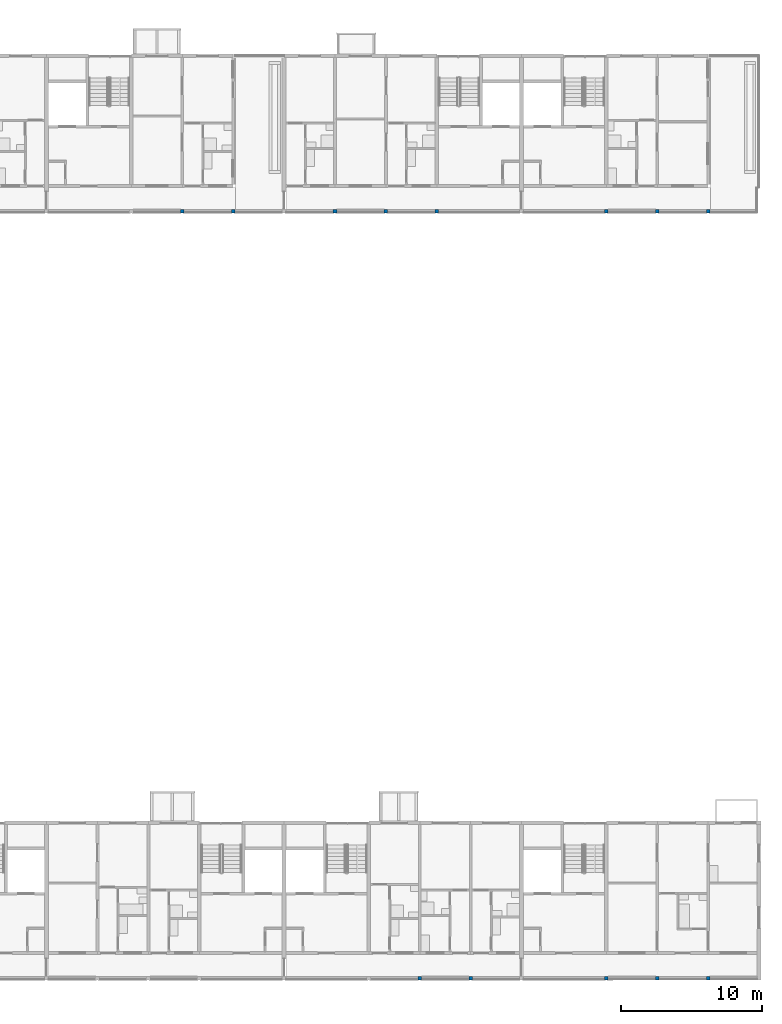
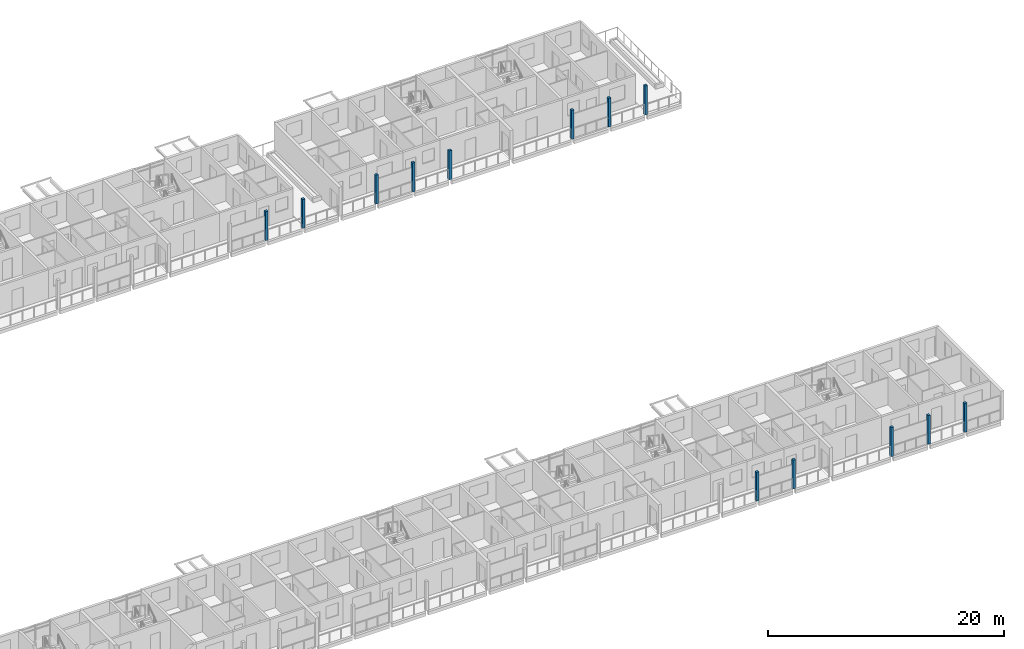
# One storey, part 4 of 94: 13 columns.
"""IFC4 building model written with IfcOpenShell, lengths in metres."""

from ifc_helpers import new_model, si_unit, direction, frame, origin, origin_2d, place, context, subcontext, project, spatial, rectangle, extrude, material, material_profile, profile_set, type_object, element, save


model = new_model("IFC4")

# Units and contexts
model_context = context("Model", 3, precision=1e-05, world=origin(), true_north=direction((0.0, 1.0)))
body_context = subcontext(model_context, "Body", "Model", "MODEL_VIEW")
ifc_project = project(units=[si_unit("LENGTHUNIT", "METRE"), si_unit("AREAUNIT", "SQUARE_METRE"), si_unit("VOLUMEUNIT", "CUBIC_METRE"), si_unit("PLANEANGLEUNIT", "RADIAN"), si_unit("MASSUNIT", "GRAM", prefix="KILO")], contexts=[model_context])

# Site, building, storey
site_placement = place(None, origin())
site = spatial("IfcSite", under=ifc_project, at=site_placement, CompositionType="ELEMENT")
building_placement = place(site_placement, origin())
building = spatial("IfcBuilding", under=site, at=building_placement, Name="Ridgestep Commons", CompositionType="ELEMENT")
storey_placement = place(building_placement, frame((0.0, 0.0, 21.0)))
storey = spatial("IfcBuildingStorey", under=building, at=storey_placement, Name="L07", CompositionType="ELEMENT", Elevation=21.0)

# Columns
ifc_material = material(Name="Precast concrete C40/50", Category="concrete")
ifc_material_profile = material_profile(ifc_material, rectangle(XDim=0.25, YDim=0.25, at=origin_2d()), Name="PC 250x250")
ifc_profile_set = profile_set([ifc_material_profile], Name="Precast concrete C40/50")
column_type = type_object("IfcColumnType", Name="Loggia column 250 x 250", PredefinedType="COLUMN", material=ifc_profile_set)
for number, where, z_axis, x_axis, name in (
    (1, (206.800048828125, 66.125, 0.0), (0.0, 0.0, 1.0), (1.0, 0.0, 0.0), "Loggia column C L07"),
    (2, (210.39990234375, 66.125, 0.0), (0.0, 0.0, 1.0), (1.0, 0.0, 0.0), "Loggia column C L07"),
    (3, (217.60009765625, 66.125, 0.0), (0.0, 0.0, 1.0), (1.0, 0.0, 0.0), "Loggia column C L07"),
    (4, (221.199951171875, 66.125, 0.0), (0.0, 0.0, 1.0), (1.0, 0.0, 0.0), "Loggia column C L07"),
    (5, (224.800048828125, 66.125, 0.0), (0.0, 0.0, 1.0), (1.0, 0.0, 0.0), "Loggia column C L07"),
    (6, (236.800048828125, 66.125, 0.0), (0.0, 0.0, 1.0), (1.0, 0.0, 0.0), "Loggia column C L07"),
    (7, (240.39990234375, 66.125, 0.0), (0.0, 0.0, 1.0), (1.0, 0.0, 0.0), "Loggia column C L07"),
    (8, (244.0, 66.125, 0.0), (0.0, 0.0, 1.0), (1.0, 0.0, 0.0), "Loggia column C L07"),
    (9, (223.60009765625, 11.875, 0.0), (0.0, 0.0, 1.0), (1.0, 0.0, 0.0), "Loggia column D L07"),
    (10, (227.199951171875, 11.875, 0.0), (0.0, 0.0, 1.0), (1.0, 0.0, 0.0), "Loggia column D L07"),
    (11, (236.800048828125, 11.875, 0.0), (0.0, 0.0, 1.0), (1.0, 0.0, 0.0), "Loggia column D L07"),
    (12, (240.39990234375, 11.875, 0.0), (0.0, 0.0, 1.0), (1.0, 0.0, 0.0), "Loggia column D L07"),
    (13, (244.0, 11.875, 0.0), (0.0, 0.0, 1.0), (1.0, 0.0, 0.0), "Loggia column D L07"),
):
    element("IfcColumn", number, at=place(storey_placement, frame(where, z_axis=z_axis, x_axis=x_axis)), inside=storey, type_object=column_type, Name=name, PredefinedType="COLUMN", context=body_context, shape_type="SweptSolid", body=[
        extrude(rectangle(XDim=0.25, YDim=0.25, at=origin_2d()), origin(), (0.0, 0.0, 1.0), 3.0),
    ])

save(model, "model.ifc")
